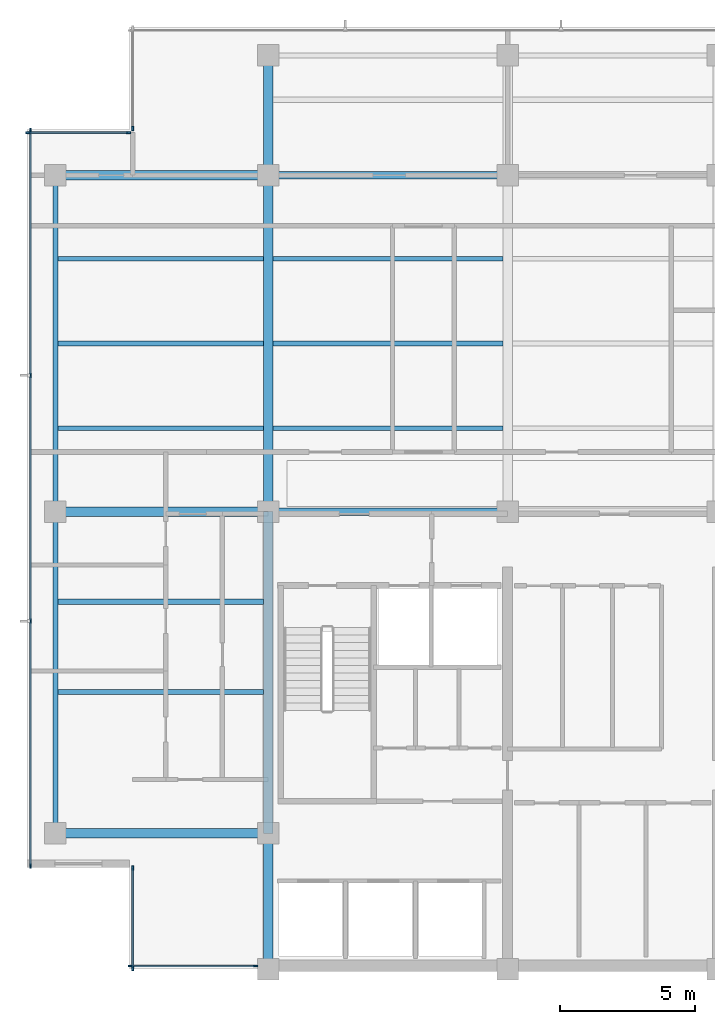
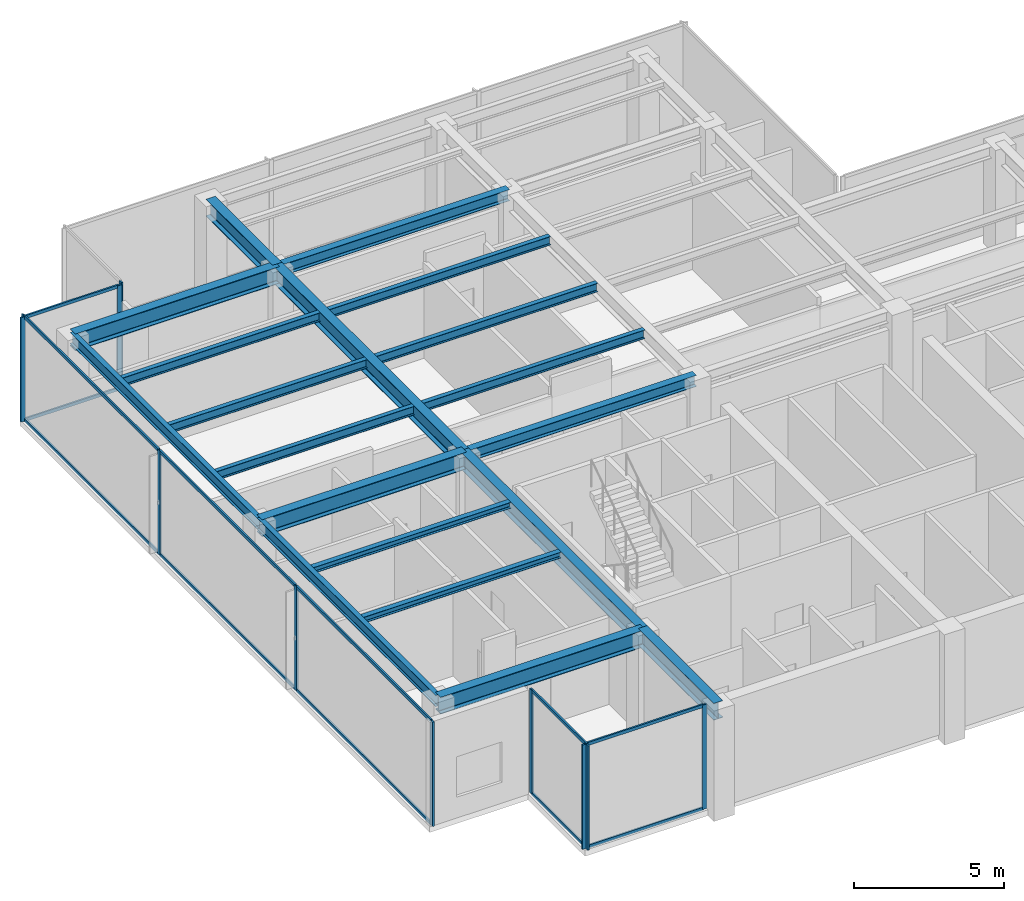
# One storey, part 2 of 11: 23 members, 19 beams, 5 elements without a shape of their own.
"""IFC4 building model written with IfcOpenShell, lengths in metres."""

from ifc_helpers import new_model, si_unit, direction, frame, origin, origin_2d, place, context, subcontext, project, spatial, rectangle, i_section, extrude, material, layer, layer_set, material_profile, profile_set, type_object, element, aggregate, save


model = new_model("IFC4")

# Units and contexts
model_context = context("Model", 3, precision=1e-05, world=origin(), true_north=direction((0.0, 1.0)))
body_context = subcontext(model_context, "Body", "Model", "MODEL_VIEW")
ifc_project = project(units=[si_unit("LENGTHUNIT", "METRE"), si_unit("AREAUNIT", "SQUARE_METRE"), si_unit("VOLUMEUNIT", "CUBIC_METRE"), si_unit("PLANEANGLEUNIT", "RADIAN"), si_unit("MASSUNIT", "GRAM", prefix="KILO")], contexts=[model_context])

# Site, building, storey
site_placement = place(None, origin())
site = spatial("IfcSite", under=ifc_project, at=site_placement, CompositionType="ELEMENT")
building_placement = place(site_placement, origin())
building = spatial("IfcBuilding", under=site, at=building_placement, Name="Qalmaran Belvedere Hotel", CompositionType="ELEMENT")
storey_placement = place(building_placement, frame((0.0, 0.0, 280.89990234375)))
storey = spatial("IfcBuildingStorey", under=building, at=storey_placement, Name="L73", CompositionType="ELEMENT", Elevation=280.89990234375)

# Beams
ifc_material_1 = material(Name="Steel S355JR", Category="steel")
ifc_material_profile_1 = material_profile(ifc_material_1, i_section(OverallWidth=0.201904296875, OverallDepth=0.2470703125, WebThickness=0.00732421875, FlangeThickness=0.010986328125, FilletRadius=0.011962890625, at=origin_2d()), Name="W250X49")
ifc_profile_set_1 = profile_set([ifc_material_profile_1], Name="Steel S355JR")
beam_type_1 = type_object("IfcBeamType", Name="BM-JST-W250X49", PredefinedType="JOIST", material=ifc_profile_set_1)
for number, where, z_axis, x_axis, name in (
    (1, (12.493896484375, 13.800048828125, 4.13671875), (1.0, 0.0, 0.0), (0.0, 1.0, 0.0), "L73 West Wing Joist 035"),
    (2, (12.493896484375, 17.14990234375, 4.13671875), (1.0, 0.0, 0.0), (0.0, 1.0, 0.0), "L73 West Wing Joist 037"),
):
    element("IfcBeam", number, at=place(storey_placement, frame(where, z_axis=z_axis, x_axis=x_axis)), inside=storey, type_object=beam_type_1, Name=name, PredefinedType="JOIST", context=body_context, shape_type="SweptSolid", body=[
        extrude(i_section(OverallWidth=0.201904296875, OverallDepth=0.2470703125, WebThickness=0.00732421875, FlangeThickness=0.010986328125, FilletRadius=0.011962890625, at=origin_2d()), origin(), (0.0, 0.0, 1.0), 7.630615234375),
    ])
ifc_material_profile_2 = material_profile(ifc_material_1, i_section(OverallWidth=0.172119140625, OverallDepth=0.35791015625, WebThickness=0.0078125, FlangeThickness=0.01318359375, FilletRadius=0.014892578125, at=origin_2d()), Name="W360X57")
ifc_profile_set_2 = profile_set([ifc_material_profile_2], Name="Steel S355JR")
beam_type_2 = type_object("IfcBeamType", Name="BM-SB4-W360X57", PredefinedType="BEAM", material=ifc_profile_set_2)
beam_1_placement = place(storey_placement, frame((12.493896484375, 23.60009765625, 4.0810546875), z_axis=(1.0, 0.0, 0.0), x_axis=(0.0, 1.0, 0.0)))
element("IfcBeam", 3, at=beam_1_placement, inside=storey, type_object=beam_type_2, Name="L73 West Secondary Beam 024", PredefinedType="BEAM", context=body_context, shape_type="SweptSolid", body=[
    extrude(i_section(OverallWidth=0.172119140625, OverallDepth=0.35791015625, WebThickness=0.0078125, FlangeThickness=0.01318359375, FilletRadius=0.014892578125, at=origin_2d()), origin(), (0.0, 0.0, 1.0), 7.630615234375),
])
beam_2_placement = place(storey_placement, frame((20.4755859375, 23.60009765625, 4.0810546875), z_axis=(1.0, 0.0, 0.0), x_axis=(0.0, 1.0, 0.0)))
element("IfcBeam", 4, at=beam_2_placement, inside=storey, type_object=beam_type_2, Name="L73 Secondary Floor Beam 025", PredefinedType="BEAM", context=body_context, shape_type="SweptSolid", body=[
    extrude(i_section(OverallWidth=0.172119140625, OverallDepth=0.35791015625, WebThickness=0.0078125, FlangeThickness=0.01318359375, FilletRadius=0.014892578125, at=origin_2d()), origin(), (0.0, 0.0, 1.0), 8.548828125),
])
beam_3_placement = place(storey_placement, frame((12.493896484375, 26.75, 4.0810546875), z_axis=(1.0, 0.0, 0.0), x_axis=(0.0, 1.0, 0.0)))
element("IfcBeam", 5, at=beam_3_placement, inside=storey, type_object=beam_type_2, Name="L73 West Secondary Beam 028", PredefinedType="BEAM", context=body_context, shape_type="SweptSolid", body=[
    extrude(i_section(OverallWidth=0.172119140625, OverallDepth=0.35791015625, WebThickness=0.0078125, FlangeThickness=0.01318359375, FilletRadius=0.014892578125, at=origin_2d()), origin(), (0.0, 0.0, 1.0), 7.630615234375),
])
beam_4_placement = place(storey_placement, frame((20.4755859375, 26.75, 4.0810546875), z_axis=(1.0, 0.0, 0.0), x_axis=(0.0, 1.0, 0.0)))
element("IfcBeam", 6, at=beam_4_placement, inside=storey, type_object=beam_type_2, Name="L73 Secondary Floor Beam 029", PredefinedType="BEAM", context=body_context, shape_type="SweptSolid", body=[
    extrude(i_section(OverallWidth=0.172119140625, OverallDepth=0.35791015625, WebThickness=0.0078125, FlangeThickness=0.01318359375, FilletRadius=0.014892578125, at=origin_2d()), origin(), (0.0, 0.0, 1.0), 8.548828125),
])
beam_5_placement = place(storey_placement, frame((12.493896484375, 29.89990234375, 4.0810546875), z_axis=(1.0, 0.0, 0.0), x_axis=(0.0, 1.0, 0.0)))
element("IfcBeam", 7, at=beam_5_placement, inside=storey, type_object=beam_type_2, Name="L73 West Secondary Beam 032", PredefinedType="BEAM", context=body_context, shape_type="SweptSolid", body=[
    extrude(i_section(OverallWidth=0.172119140625, OverallDepth=0.35791015625, WebThickness=0.0078125, FlangeThickness=0.01318359375, FilletRadius=0.014892578125, at=origin_2d()), origin(), (0.0, 0.0, 1.0), 7.630615234375),
])
beam_6_placement = place(storey_placement, frame((20.4755859375, 29.89990234375, 4.0810546875), z_axis=(1.0, 0.0, 0.0), x_axis=(0.0, 1.0, 0.0)))
element("IfcBeam", 8, at=beam_6_placement, inside=storey, type_object=beam_type_2, Name="L73 Secondary Floor Beam 033", PredefinedType="BEAM", context=body_context, shape_type="SweptSolid", body=[
    extrude(i_section(OverallWidth=0.172119140625, OverallDepth=0.35791015625, WebThickness=0.0078125, FlangeThickness=0.01318359375, FilletRadius=0.014892578125, at=origin_2d()), origin(), (0.0, 0.0, 1.0), 8.548828125),
])
ifc_material_profile_3 = material_profile(ifc_material_1, i_section(OverallWidth=0.19189453125, OverallDepth=0.462890625, WebThickness=0.010498046875, FlangeThickness=0.017578125, FilletRadius=0.01611328125, at=origin_2d()), Name="W460X89")
ifc_profile_set_3 = profile_set([ifc_material_profile_3], Name="Steel S355JR")
beam_type_3 = type_object("IfcBeamType", Name="BM-SP2-W460X89", PredefinedType="SPANDREL", material=ifc_profile_set_3)
beam_7_placement = place(storey_placement, frame((12.39990234375, 8.550048828125, 4.028564453125), z_axis=(0.0, 1.0, 0.0), x_axis=(-1.0, 0.0, 0.0)))
element("IfcBeam", 9, at=beam_7_placement, inside=storey, type_object=beam_type_3, Name="L73 Perimeter Spandrel 01", PredefinedType="SPANDREL", context=body_context, shape_type="SweptSolid", body=[
    extrude(i_section(OverallWidth=0.19189453125, OverallDepth=0.462890625, WebThickness=0.010498046875, FlangeThickness=0.017578125, FilletRadius=0.01611328125, at=origin_2d()), origin(), (0.0, 0.0, 1.0), 11.949951171875),
])
beam_8_placement = place(storey_placement, frame((12.39990234375, 20.5, 4.028564453125), z_axis=(0.0, 1.0, 0.0), x_axis=(-1.0, 0.0, 0.0)))
element("IfcBeam", 10, at=beam_8_placement, inside=storey, type_object=beam_type_3, Name="L73 Perimeter Spandrel 02", PredefinedType="SPANDREL", context=body_context, shape_type="SweptSolid", body=[
    extrude(i_section(OverallWidth=0.19189453125, OverallDepth=0.462890625, WebThickness=0.010498046875, FlangeThickness=0.017578125, FilletRadius=0.01611328125, at=origin_2d()), origin(), (0.0, 0.0, 1.0), 12.5),
])
ifc_material_profile_4 = material_profile(ifc_material_1, i_section(OverallWidth=0.35498046875, OverallDepth=0.695068359375, WebThickness=0.015380859375, FlangeThickness=0.02490234375, FilletRadius=0.02197265625, at=origin_2d()), Name="W690X217")
ifc_profile_set_4 = profile_set([ifc_material_profile_4], Name="Steel S355JR")
beam_type_4 = type_object("IfcBeamType", Name="BM-Z1-W690X217", PredefinedType="USERDEFINED", material=ifc_profile_set_4)
beam_9_placement = place(storey_placement, frame((20.300048828125, 20.5, 3.91259765625), z_axis=(0.0, 1.0, 0.0), x_axis=(-1.0, 0.0, 0.0)))
element("IfcBeam", 11, at=beam_9_placement, inside=storey, type_object=beam_type_4, Name="L73 Mid-Plate N-S Girder 11", ObjectType="GIRDER", PredefinedType="USERDEFINED", context=body_context, shape_type="SweptSolid", body=[
    extrude(i_section(OverallWidth=0.35498046875, OverallDepth=0.695068359375, WebThickness=0.015380859375, FlangeThickness=0.02490234375, FilletRadius=0.02197265625, at=origin_2d()), origin(), (0.0, 0.0, 1.0), 12.5),
])
beam_10_placement = place(storey_placement, frame((20.300048828125, 33.0, 3.91259765625), z_axis=(0.0, 1.0, 0.0), x_axis=(-1.0, 0.0, 0.0)))
element("IfcBeam", 12, at=beam_10_placement, inside=storey, type_object=beam_type_4, Name="L73 North Bay Girder 12", ObjectType="GIRDER", PredefinedType="USERDEFINED", context=body_context, shape_type="SweptSolid", body=[
    extrude(i_section(OverallWidth=0.35498046875, OverallDepth=0.695068359375, WebThickness=0.015380859375, FlangeThickness=0.02490234375, FilletRadius=0.02197265625, at=origin_2d()), origin(), (0.0, 0.0, 1.0), 4.449951171875),
])
for number, where, z_axis, x_axis, name in (
    (13, (12.39990234375, 8.550048828125, 3.91259765625), (1.0, 0.0, 0.0), (0.0, 1.0, 0.0), "L73 West Wing Girder 19"),
    (14, (12.39990234375, 20.5, 3.91259765625), (1.0, 0.0, 0.0), (0.0, 1.0, 0.0), "L73 West Wing Girder 20"),
    (15, (12.39990234375, 33.0, 3.91259765625), (1.0, 0.0, 0.0), (0.0, 1.0, 0.0), "L73 West Wing Girder 21"),
):
    element("IfcBeam", number, at=place(storey_placement, frame(where, z_axis=z_axis, x_axis=x_axis)), inside=storey, type_object=beam_type_4, Name=name, ObjectType="GIRDER", PredefinedType="USERDEFINED", context=body_context, shape_type="SweptSolid", body=[
        extrude(i_section(OverallWidth=0.35498046875, OverallDepth=0.695068359375, WebThickness=0.015380859375, FlangeThickness=0.02490234375, FilletRadius=0.02197265625, at=origin_2d()), origin(), (0.0, 0.0, 1.0), 7.900146484375),
    ])
beam_11_placement = place(storey_placement, frame((20.300048828125, 3.5, 3.91259765625), z_axis=(0.0, 1.0, 0.0), x_axis=(-1.0, 0.0, 0.0)))
element("IfcBeam", 16, at=beam_11_placement, inside=storey, type_object=beam_type_4, Name="L73 West Core Edge Girder A", ObjectType="GIRDER", PredefinedType="USERDEFINED", context=body_context, shape_type="SweptSolid", body=[
    extrude(i_section(OverallWidth=0.35498046875, OverallDepth=0.695068359375, WebThickness=0.015380859375, FlangeThickness=0.02490234375, FilletRadius=0.02197265625, at=origin_2d()), origin(), (0.0, 0.0, 1.0), 5.050048828125),
])
beam_12_placement = place(storey_placement, frame((20.300048828125, 8.550048828125, 3.91259765625), z_axis=(0.0, 1.0, 0.0), x_axis=(-1.0, 0.0, 0.0)))
element("IfcBeam", 17, at=beam_12_placement, inside=storey, type_object=beam_type_4, Name="L73 West Core Edge Girder B", ObjectType="GIRDER", PredefinedType="USERDEFINED", context=body_context, shape_type="SweptSolid", body=[
    extrude(i_section(OverallWidth=0.35498046875, OverallDepth=0.695068359375, WebThickness=0.015380859375, FlangeThickness=0.02490234375, FilletRadius=0.02197265625, at=origin_2d()), origin(), (0.0, 0.0, 1.0), 11.949951171875),
])
ifc_material_profile_5 = material_profile(ifc_material_1, i_section(OverallWidth=0.280029296875, OverallDepth=0.462890625, WebThickness=0.0107421875, FlangeThickness=0.017333984375, FilletRadius=0.01611328125, at=origin_2d()), Name="W460X113")
ifc_profile_set_5 = profile_set([ifc_material_profile_5], Name="Steel S355JR")
beam_type_5 = type_object("IfcBeamType", Name="BM-Z5-W460X113", PredefinedType="USERDEFINED", material=ifc_profile_set_5)
for number, where, z_axis, x_axis, name in (
    (18, (20.300048828125, 20.5, 4.028564453125), (1.0, 0.0, 0.0), (0.0, 1.0, 0.0), "L73 Interior E-W Girder 06"),
    (19, (20.300048828125, 33.0, 4.028564453125), (1.0, 0.0, 0.0), (0.0, 1.0, 0.0), "L73 Interior E-W Girder 09"),
):
    element("IfcBeam", number, at=place(storey_placement, frame(where, z_axis=z_axis, x_axis=x_axis)), inside=storey, type_object=beam_type_5, Name=name, ObjectType="GIRDER", PredefinedType="USERDEFINED", context=body_context, shape_type="SweptSolid", body=[
        extrude(i_section(OverallWidth=0.280029296875, OverallDepth=0.462890625, WebThickness=0.0107421875, FlangeThickness=0.017333984375, FilletRadius=0.01611328125, at=origin_2d()), origin(), (0.0, 0.0, 1.0), 8.89990234375),
    ])

# Curtain wall, members
ifc_material_2 = material(Name="Anodised Bronze Aluminium", Category="aluminium")
ifc_layer = layer(ifc_material_2, 0.18505859375, Name="Anodised Bronze Aluminium")
ifc_layer_set = layer_set([ifc_layer], Name="Anodised Bronze Aluminium")
curtain_wall_type = type_object("IfcCurtainWallType", Name="CW6-TOWER-SKY", PredefinedType="NOTDEFINED", material=ifc_layer_set)
curtain_wall_1_placement = place(storey_placement, origin())
curtain_wall_1 = element("IfcCurtainWall", 20, at=curtain_wall_1_placement, inside=storey, type_object=curtain_wall_type, Name="L73 Curtain Wall CW6", PredefinedType="NOTDEFINED")
ifc_material_profile_6 = material_profile(ifc_material_2, rectangle(XDim=0.06494140625, YDim=0.1650390625, at=origin_2d()), Name="CWM65X165")
ifc_profile_set_6 = profile_set([ifc_material_profile_6], Name="Anodised Bronze Aluminium")
member_type_1 = type_object("IfcMemberType", Name="CWM-65X165", PredefinedType="MULLION", material=ifc_profile_set_6)
member_1_placement = place(storey_placement, frame((15.1826171875, 3.6201171875, 0.0), z_axis=(0.0, 0.0, 1.0), x_axis=(0.0, 1.0, 0.0)))
member_1 = element("IfcMember", 21, at=member_1_placement, type_object=member_type_1, Name="CW6 mullion 1", PredefinedType="MULLION", context=body_context, shape_type="SweptSolid", body=[
    extrude(rectangle(XDim=0.06494140625, YDim=0.1650390625, at=origin_2d()), origin(), (0.0, 0.0, 1.0), 4.260009765625),
])
member_2_placement = place(storey_placement, frame((19.827392578125, 3.6201171875, 0.0), z_axis=(0.0, 0.0, 1.0), x_axis=(0.0, 1.0, 0.0)))
member_2 = element("IfcMember", 22, at=member_2_placement, type_object=member_type_1, Name="CW6 mullion 2", PredefinedType="MULLION", context=body_context, shape_type="SweptSolid", body=[
    extrude(rectangle(XDim=0.06494140625, YDim=0.1650390625, at=origin_2d()), origin(), (0.0, 0.0, 1.0), 4.260009765625),
])

# Curtain wall, member
curtain_wall_2_placement = place(storey_placement, origin())
curtain_wall_2 = element("IfcCurtainWall", 23, at=curtain_wall_2_placement, inside=storey, type_object=curtain_wall_type, Name="L73 Curtain Wall CW6", PredefinedType="NOTDEFINED")
member_3_placement = place(storey_placement, frame((15.27001953125, 34.732421875, 0.0), z_axis=(0.0, 0.0, 1.0), x_axis=(1.0, 0.0, 0.0)))
member_3 = element("IfcMember", 24, at=member_3_placement, type_object=member_type_1, Name="CW6 mullion 2", PredefinedType="MULLION", context=body_context, shape_type="SweptSolid", body=[
    extrude(rectangle(XDim=0.06494140625, YDim=0.1650390625, at=origin_2d()), origin(), (0.0, 0.0, 1.0), 4.260009765625),
])
aggregate(curtain_wall_2, [member_3])

# Curtain wall, members
curtain_wall_3_placement = place(storey_placement, origin())
curtain_wall_3 = element("IfcCurtainWall", 25, at=curtain_wall_3_placement, inside=storey, type_object=curtain_wall_type, Name="L73 Curtain Wall CW6", PredefinedType="NOTDEFINED")
member_4_placement = place(storey_placement, frame((15.117431640625, 34.580078125, 0.0), z_axis=(0.0, 0.0, 1.0), x_axis=(0.0, -1.0, 0.0)))
member_4 = element("IfcMember", 26, at=member_4_placement, type_object=member_type_1, Name="CW6 mullion 1", PredefinedType="MULLION", context=body_context, shape_type="SweptSolid", body=[
    extrude(rectangle(XDim=0.06494140625, YDim=0.1650390625, at=origin_2d()), origin(), (0.0, 0.0, 1.0), 4.260009765625),
])
member_5_placement = place(storey_placement, frame((11.382568359375, 34.580078125, 0.0), z_axis=(0.0, 0.0, 1.0), x_axis=(0.0, -1.0, 0.0)))
member_5 = element("IfcMember", 27, at=member_5_placement, type_object=member_type_1, Name="CW6 mullion 2", PredefinedType="MULLION", context=body_context, shape_type="SweptSolid", body=[
    extrude(rectangle(XDim=0.06494140625, YDim=0.1650390625, at=origin_2d()), origin(), (0.0, 0.0, 1.0), 4.260009765625),
])

curtain_wall_4_placement = place(storey_placement, origin())
curtain_wall_4 = element("IfcCurtainWall", 28, at=curtain_wall_4_placement, inside=storey, type_object=curtain_wall_type, Name="L73 Curtain Wall CW6", PredefinedType="NOTDEFINED")
member_6_placement = place(storey_placement, frame((11.469970703125, 34.66748046875, 0.0), z_axis=(0.0, 0.0, 1.0), x_axis=(1.0, 0.0, 0.0)))
member_6 = element("IfcMember", 29, at=member_6_placement, type_object=member_type_1, Name="CW6 mullion 1", PredefinedType="MULLION", context=body_context, shape_type="SweptSolid", body=[
    extrude(rectangle(XDim=0.06494140625, YDim=0.1650390625, at=origin_2d()), origin(), (0.0, 0.0, 1.0), 4.260009765625),
])
member_7_placement = place(storey_placement, frame((11.469970703125, 25.566650390625, 0.0), z_axis=(0.0, 0.0, 1.0), x_axis=(1.0, 0.0, 0.0)))
member_7 = element("IfcMember", 30, at=member_7_placement, type_object=member_type_1, Name="CW6 mullion 2", PredefinedType="MULLION", context=body_context, shape_type="SweptSolid", body=[
    extrude(rectangle(XDim=0.06494140625, YDim=0.1650390625, at=origin_2d()), origin(), (0.0, 0.0, 1.0), 4.260009765625),
])
member_8_placement = place(storey_placement, frame((11.469970703125, 16.433349609375, 0.0), z_axis=(0.0, 0.0, 1.0), x_axis=(1.0, 0.0, 0.0)))
member_8 = element("IfcMember", 31, at=member_8_placement, type_object=member_type_1, Name="CW6 mullion 3", PredefinedType="MULLION", context=body_context, shape_type="SweptSolid", body=[
    extrude(rectangle(XDim=0.06494140625, YDim=0.1650390625, at=origin_2d()), origin(), (0.0, 0.0, 1.0), 4.260009765625),
])
member_9_placement = place(storey_placement, frame((11.469970703125, 7.33251953125, 0.0), z_axis=(0.0, 0.0, 1.0), x_axis=(1.0, 0.0, 0.0)))
member_9 = element("IfcMember", 32, at=member_9_placement, type_object=member_type_1, Name="CW6 mullion 4", PredefinedType="MULLION", context=body_context, shape_type="SweptSolid", body=[
    extrude(rectangle(XDim=0.06494140625, YDim=0.1650390625, at=origin_2d()), origin(), (0.0, 0.0, 1.0), 4.260009765625),
])

curtain_wall_5_placement = place(storey_placement, origin())
curtain_wall_5 = element("IfcCurtainWall", 33, at=curtain_wall_5_placement, inside=storey, type_object=curtain_wall_type, Name="L73 Curtain Wall CW6", PredefinedType="NOTDEFINED")
member_10_placement = place(storey_placement, frame((15.27001953125, 7.267578125, 0.0), z_axis=(0.0, 0.0, 1.0), x_axis=(1.0, 0.0, 0.0)))
member_10 = element("IfcMember", 34, at=member_10_placement, type_object=member_type_1, Name="CW6 mullion 1", PredefinedType="MULLION", context=body_context, shape_type="SweptSolid", body=[
    extrude(rectangle(XDim=0.06494140625, YDim=0.1650390625, at=origin_2d()), origin(), (0.0, 0.0, 1.0), 4.260009765625),
])
member_11_placement = place(storey_placement, frame((15.27001953125, 3.532470703125, 0.0), z_axis=(0.0, 0.0, 1.0), x_axis=(1.0, 0.0, 0.0)))
member_11 = element("IfcMember", 35, at=member_11_placement, type_object=member_type_1, Name="CW6 mullion 2", PredefinedType="MULLION", context=body_context, shape_type="SweptSolid", body=[
    extrude(rectangle(XDim=0.06494140625, YDim=0.1650390625, at=origin_2d()), origin(), (0.0, 0.0, 1.0), 4.260009765625),
])

# Member
ifc_material_profile_7 = material_profile(ifc_material_2, rectangle(XDim=0.06494140625, YDim=0.1298828125, at=origin_2d()), Name="CWT65X130")
ifc_profile_set_7 = profile_set([ifc_material_profile_7], Name="Anodised Bronze Aluminium")
member_type_2 = type_object("IfcMemberType", Name="CWT-65X130", PredefinedType="USERDEFINED", material=ifc_profile_set_7)
member_12_placement = place(storey_placement, frame((15.215087890625, 3.6201171875, 0.03271484375), z_axis=(1.0, 0.0, 0.0), x_axis=(0.0, 1.0, 0.0)))
member_12 = element("IfcMember", 36, at=member_12_placement, type_object=member_type_2, Name="CW6 transom 1.1", ObjectType="TRANSOM", PredefinedType="USERDEFINED", context=body_context, shape_type="SweptSolid", body=[
    extrude(rectangle(XDim=0.06494140625, YDim=0.1298828125, at=origin_2d()), origin(), (0.0, 0.0, 1.0), 4.579833984375),
])

member_13_placement = place(storey_placement, frame((15.215087890625, 3.6201171875, 4.2275390625), z_axis=(1.0, 0.0, 0.0), x_axis=(0.0, 1.0, 0.0)))
member_13 = element("IfcMember", 37, at=member_13_placement, type_object=member_type_2, Name="CW6 transom 1.2", ObjectType="TRANSOM", PredefinedType="USERDEFINED", context=body_context, shape_type="SweptSolid", body=[
    extrude(rectangle(XDim=0.06494140625, YDim=0.1298828125, at=origin_2d()), origin(), (0.0, 0.0, 1.0), 4.579833984375),
])

aggregate(curtain_wall_1, [member_1, member_2, member_12, member_13])

member_14_placement = place(storey_placement, frame((15.0849609375, 34.580078125, 0.03271484375), z_axis=(-1.0, 0.0, 0.0), x_axis=(0.0, -1.0, 0.0)))
member_14 = element("IfcMember", 38, at=member_14_placement, type_object=member_type_2, Name="CW6 transom 1.1", ObjectType="TRANSOM", PredefinedType="USERDEFINED", context=body_context, shape_type="SweptSolid", body=[
    extrude(rectangle(XDim=0.06494140625, YDim=0.1298828125, at=origin_2d()), origin(), (0.0, 0.0, 1.0), 3.669921875),
])

member_15_placement = place(storey_placement, frame((15.0849609375, 34.580078125, 4.2275390625), z_axis=(-1.0, 0.0, 0.0), x_axis=(0.0, -1.0, 0.0)))
member_15 = element("IfcMember", 39, at=member_15_placement, type_object=member_type_2, Name="CW6 transom 1.2", ObjectType="TRANSOM", PredefinedType="USERDEFINED", context=body_context, shape_type="SweptSolid", body=[
    extrude(rectangle(XDim=0.06494140625, YDim=0.1298828125, at=origin_2d()), origin(), (0.0, 0.0, 1.0), 3.669921875),
])

aggregate(curtain_wall_3, [member_4, member_5, member_14, member_15])

member_16_placement = place(storey_placement, frame((11.469970703125, 34.635009765625, 0.03271484375), z_axis=(0.0, -1.0, 0.0), x_axis=(1.0, 0.0, 0.0)))
member_16 = element("IfcMember", 40, at=member_16_placement, type_object=member_type_2, Name="CW6 transom 1.1", ObjectType="TRANSOM", PredefinedType="USERDEFINED", context=body_context, shape_type="SweptSolid", body=[
    extrude(rectangle(XDim=0.06494140625, YDim=0.1298828125, at=origin_2d()), origin(), (0.0, 0.0, 1.0), 9.035888671875),
])

member_17_placement = place(storey_placement, frame((11.469970703125, 34.635009765625, 4.2275390625), z_axis=(0.0, -1.0, 0.0), x_axis=(1.0, 0.0, 0.0)))
member_17 = element("IfcMember", 41, at=member_17_placement, type_object=member_type_2, Name="CW6 transom 1.2", ObjectType="TRANSOM", PredefinedType="USERDEFINED", context=body_context, shape_type="SweptSolid", body=[
    extrude(rectangle(XDim=0.06494140625, YDim=0.1298828125, at=origin_2d()), origin(), (0.0, 0.0, 1.0), 9.035888671875),
])

member_18_placement = place(storey_placement, frame((11.469970703125, 25.5341796875, 0.03271484375), z_axis=(0.0, -1.0, 0.0), x_axis=(1.0, 0.0, 0.0)))
member_18 = element("IfcMember", 42, at=member_18_placement, type_object=member_type_2, Name="CW6 transom 2.1", ObjectType="TRANSOM", PredefinedType="USERDEFINED", context=body_context, shape_type="SweptSolid", body=[
    extrude(rectangle(XDim=0.06494140625, YDim=0.1298828125, at=origin_2d()), origin(), (0.0, 0.0, 1.0), 9.068359375),
])

member_19_placement = place(storey_placement, frame((11.469970703125, 25.5341796875, 4.2275390625), z_axis=(0.0, -1.0, 0.0), x_axis=(1.0, 0.0, 0.0)))
member_19 = element("IfcMember", 43, at=member_19_placement, type_object=member_type_2, Name="CW6 transom 2.2", ObjectType="TRANSOM", PredefinedType="USERDEFINED", context=body_context, shape_type="SweptSolid", body=[
    extrude(rectangle(XDim=0.06494140625, YDim=0.1298828125, at=origin_2d()), origin(), (0.0, 0.0, 1.0), 9.068359375),
])

member_20_placement = place(storey_placement, frame((11.469970703125, 16.40087890625, 0.03271484375), z_axis=(0.0, -1.0, 0.0), x_axis=(1.0, 0.0, 0.0)))
member_20 = element("IfcMember", 44, at=member_20_placement, type_object=member_type_2, Name="CW6 transom 3.1", ObjectType="TRANSOM", PredefinedType="USERDEFINED", context=body_context, shape_type="SweptSolid", body=[
    extrude(rectangle(XDim=0.06494140625, YDim=0.1298828125, at=origin_2d()), origin(), (0.0, 0.0, 1.0), 9.035888671875),
])

member_21_placement = place(storey_placement, frame((11.469970703125, 16.40087890625, 4.2275390625), z_axis=(0.0, -1.0, 0.0), x_axis=(1.0, 0.0, 0.0)))
member_21 = element("IfcMember", 45, at=member_21_placement, type_object=member_type_2, Name="CW6 transom 3.2", ObjectType="TRANSOM", PredefinedType="USERDEFINED", context=body_context, shape_type="SweptSolid", body=[
    extrude(rectangle(XDim=0.06494140625, YDim=0.1298828125, at=origin_2d()), origin(), (0.0, 0.0, 1.0), 9.035888671875),
])

aggregate(curtain_wall_4, [member_6, member_7, member_8, member_9, member_16, member_17, member_18, member_19, member_20, member_21])

member_22_placement = place(storey_placement, frame((15.27001953125, 7.235107421875, 0.03271484375), z_axis=(0.0, -1.0, 0.0), x_axis=(1.0, 0.0, 0.0)))
member_22 = element("IfcMember", 46, at=member_22_placement, type_object=member_type_2, Name="CW6 transom 1.1", ObjectType="TRANSOM", PredefinedType="USERDEFINED", context=body_context, shape_type="SweptSolid", body=[
    extrude(rectangle(XDim=0.06494140625, YDim=0.1298828125, at=origin_2d()), origin(), (0.0, 0.0, 1.0), 3.670166015625),
])

member_23_placement = place(storey_placement, frame((15.27001953125, 7.235107421875, 4.2275390625), z_axis=(0.0, -1.0, 0.0), x_axis=(1.0, 0.0, 0.0)))
member_23 = element("IfcMember", 47, at=member_23_placement, type_object=member_type_2, Name="CW6 transom 1.2", ObjectType="TRANSOM", PredefinedType="USERDEFINED", context=body_context, shape_type="SweptSolid", body=[
    extrude(rectangle(XDim=0.06494140625, YDim=0.1298828125, at=origin_2d()), origin(), (0.0, 0.0, 1.0), 3.670166015625),
])

aggregate(curtain_wall_5, [member_10, member_11, member_22, member_23])

save(model, "model.ifc")
